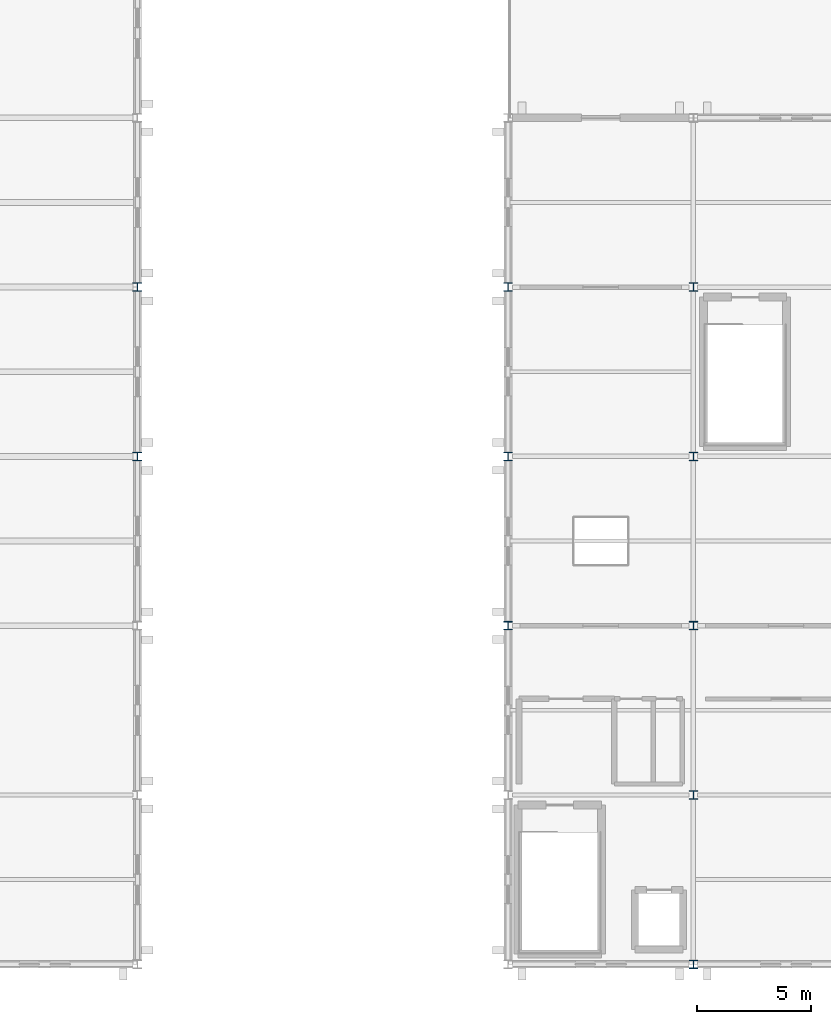
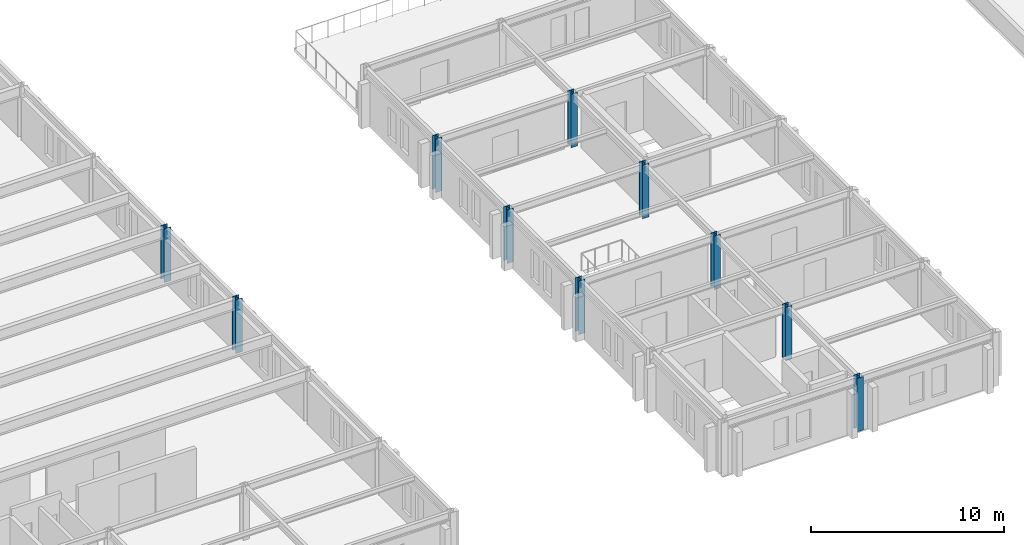
# One storey, part 3 of 19: 10 columns.
"""IFC4 building model written with IfcOpenShell, lengths in metres."""

from ifc_helpers import new_model, si_unit, direction, frame, origin, origin_2d, place, context, subcontext, project, spatial, i_section, extrude, material, material_profile, profile_set, type_object, element, save


model = new_model("IFC4")

# Units and contexts
model_context = context("Model", 3, precision=1e-05, world=origin(), true_north=direction((0.0, 1.0)))
body_context = subcontext(model_context, "Body", "Model", "MODEL_VIEW")
ifc_project = project(units=[si_unit("LENGTHUNIT", "METRE"), si_unit("AREAUNIT", "SQUARE_METRE"), si_unit("VOLUMEUNIT", "CUBIC_METRE"), si_unit("PLANEANGLEUNIT", "RADIAN"), si_unit("MASSUNIT", "GRAM", prefix="KILO")], contexts=[model_context])

# Site, building, storey
site_placement = place(None, origin())
site = spatial("IfcSite", under=ifc_project, at=site_placement, CompositionType="ELEMENT")
building_placement = place(site_placement, origin())
building = spatial("IfcBuilding", under=site, at=building_placement, Name="Cimatlan Art Gallery", CompositionType="ELEMENT")
storey_placement = place(building_placement, frame((0.0, 0.0, 17.39990234375)))
storey = spatial("IfcBuildingStorey", under=building, at=storey_placement, Name="L04", CompositionType="ELEMENT", Elevation=17.39990234375)

# Columns
ifc_material = material(Name="Steel ASTM A992 Grade 50", Category="steel")
ifc_material_profile_1 = material_profile(ifc_material, i_section(OverallWidth=0.3740234375, OverallDepth=0.3720703125, WebThickness=0.016357421875, FlangeThickness=0.026123046875, at=origin_2d()), Name="W14X132")
ifc_profile_set_1 = profile_set([ifc_material_profile_1], Name="Steel ASTM A992 Grade 50")
column_type_1 = type_object("IfcColumnType", Name="COL-STL-W14X132", PredefinedType="COLUMN", material=ifc_profile_set_1)
for number, where, z_axis, x_axis, name in (
    (1, (115.39990234375, 38.699951171875, 0.0), (0.0, 0.0, 1.0), (1.0, 0.0, 0.0), "COL-L04-14-05"),
    (2, (115.39990234375, 46.10009765625, 0.0), (0.0, 0.0, 1.0), (1.0, 0.0, 0.0), "COL-L04-14-06"),
    (3, (115.39990234375, 53.5, 0.0), (0.0, 0.0, 1.0), (1.0, 0.0, 0.0), "COL-L04-14-07"),
    (4, (123.5, 23.89990234375, 0.0), (0.0, 0.0, 1.0), (1.0, 0.0, 0.0), "COL-L04-15-03"),
    (5, (123.5, 31.300048828125, 0.0), (0.0, 0.0, 1.0), (1.0, 0.0, 0.0), "COL-L04-15-04"),
    (6, (123.5, 38.699951171875, 0.0), (0.0, 0.0, 1.0), (1.0, 0.0, 0.0), "COL-L04-15-05"),
    (7, (123.5, 46.10009765625, 0.0), (0.0, 0.0, 1.0), (1.0, 0.0, 0.0), "COL-L04-15-06"),
    (8, (123.5, 53.5, 0.0), (0.0, 0.0, 1.0), (1.0, 0.0, 0.0), "COL-L04-15-07"),
):
    element("IfcColumn", number, at=place(storey_placement, frame(where, z_axis=z_axis, x_axis=x_axis)), inside=storey, type_object=column_type_1, Name=name, PredefinedType="COLUMN", context=body_context, shape_type="SweptSolid", body=[
        extrude(i_section(OverallWidth=0.3740234375, OverallDepth=0.3720703125, WebThickness=0.016357421875, FlangeThickness=0.026123046875, at=origin_2d()), origin(), (0.0, 0.0, 1.0), 3.380126953125),
    ])
ifc_material_profile_2 = material_profile(ifc_material, i_section(OverallWidth=0.39404296875, OverallDepth=0.3759765625, WebThickness=0.017333984375, FlangeThickness=0.027587890625, at=origin_2d()), Name="W14X145")
ifc_profile_set_2 = profile_set([ifc_material_profile_2], Name="Steel ASTM A992 Grade 50")
column_type_2 = type_object("IfcColumnType", Name="COL-STL-W14X145", PredefinedType="COLUMN", material=ifc_profile_set_2)
for number, where, z_axis, x_axis, name in (
    (9, (99.199951171875, 46.10009765625, 0.0), (0.0, 0.0, 1.0), (1.0, 0.0, 0.0), "COL-L04-12-06"),
    (10, (99.199951171875, 53.5, 0.0), (0.0, 0.0, 1.0), (1.0, 0.0, 0.0), "COL-L04-12-07"),
):
    element("IfcColumn", number, at=place(storey_placement, frame(where, z_axis=z_axis, x_axis=x_axis)), inside=storey, type_object=column_type_2, Name=name, PredefinedType="COLUMN", context=body_context, shape_type="SweptSolid", body=[
        extrude(i_section(OverallWidth=0.39404296875, OverallDepth=0.3759765625, WebThickness=0.017333984375, FlangeThickness=0.027587890625, at=origin_2d()), origin(), (0.0, 0.0, 1.0), 3.380126953125),
    ])

save(model, "model.ifc")
